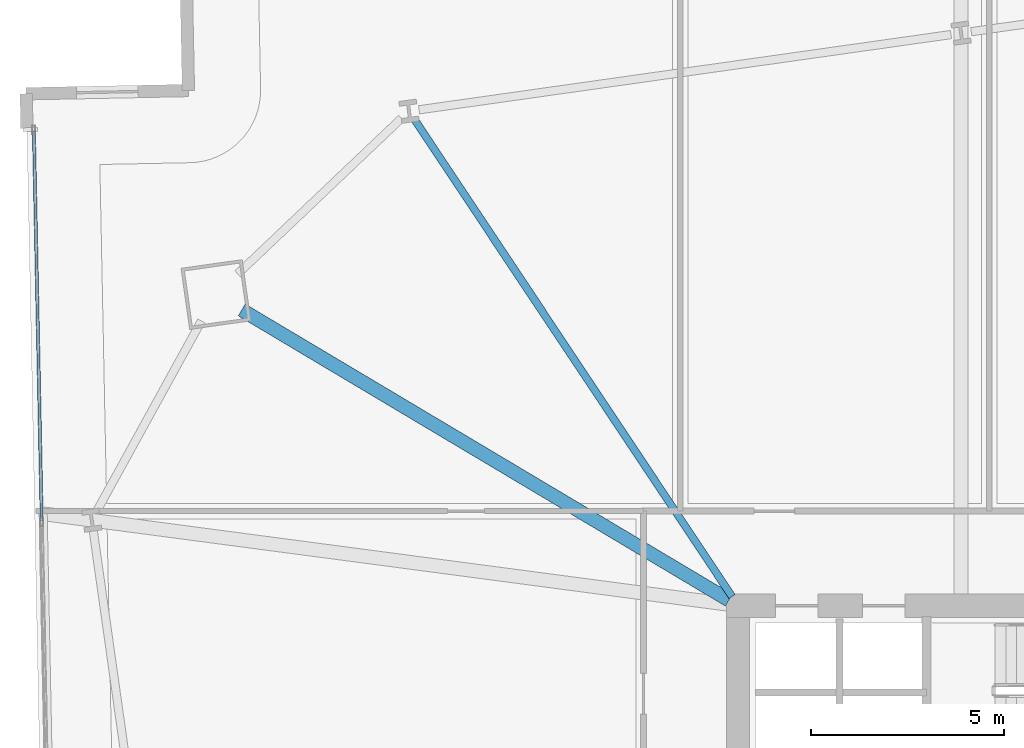
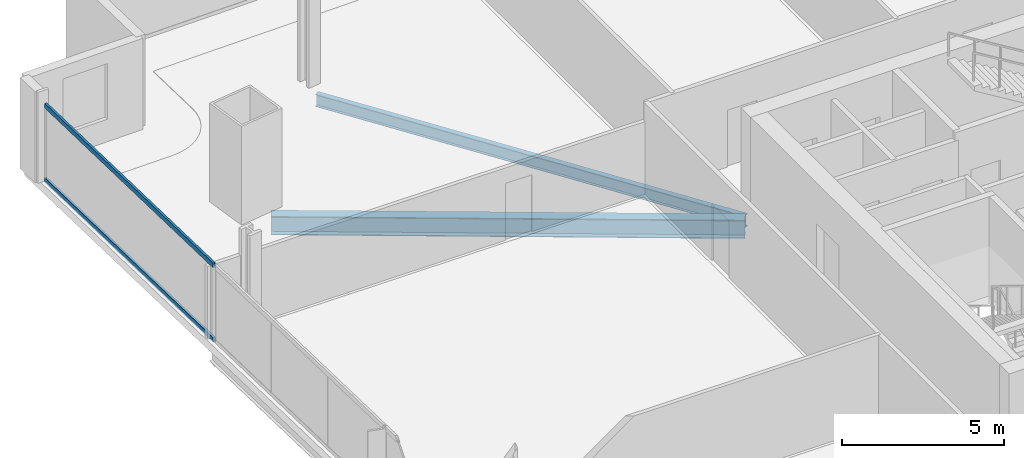
# One storey, part 17 of 35: 2 beams, 2 members, 1 element without a shape of its own.
"""IFC4 building model written with IfcOpenShell, lengths in metres."""

from ifc_helpers import new_model, si_unit, direction, frame, origin, origin_2d, place, context, subcontext, project, spatial, hollow_rectangle, i_section, extrude, material, material_profile, profile_set, type_object, element, aggregate, save


model = new_model("IFC4")

# Units and contexts
model_context = context("Model", 3, precision=1e-05, world=origin(), true_north=direction((0.0, 1.0)))
body_context = subcontext(model_context, "Body", "Model", "MODEL_VIEW")
ifc_project = project(units=[si_unit("LENGTHUNIT", "METRE"), si_unit("AREAUNIT", "SQUARE_METRE"), si_unit("VOLUMEUNIT", "CUBIC_METRE"), si_unit("PLANEANGLEUNIT", "RADIAN"), si_unit("MASSUNIT", "GRAM", prefix="KILO")], contexts=[model_context])

# Site, building, storey
site_placement = place(None, origin())
site = spatial("IfcSite", under=ifc_project, at=site_placement, CompositionType="ELEMENT")
building_placement = place(site_placement, origin())
building = spatial("IfcBuilding", under=site, at=building_placement, Name="Haldenkirk Collegiate Tower", CompositionType="ELEMENT")
storey_placement = place(building_placement, frame((0.0, 0.0, 32.699951171875)))
storey = spatial("IfcBuildingStorey", under=building, at=storey_placement, Name="L06", CompositionType="ELEMENT", Elevation=32.699951171875)

# Beams
ifc_material_1 = material(Name="Steel ASTM A992 Grade 50", Category="steel")
ifc_material_profile_1 = material_profile(ifc_material_1, i_section(OverallWidth=0.35498046875, OverallDepth=0.696044921875, WebThickness=0.015380859375, FlangeThickness=0.02490234375, at=origin_2d()), Name="W27X146")
ifc_profile_set_1 = profile_set([ifc_material_profile_1], Name="Steel ASTM A992 Grade 50")
beam_type_1 = type_object("IfcBeamType", Name="BM-GIRDER-W27X146", PredefinedType="BEAM", material=ifc_profile_set_1)
beam_1_placement = place(storey_placement, frame((14.14990234375, 41.6552734375, -0.657958984375), z_axis=(0.859106056552, -0.511797600225, 0.0), x_axis=(0.511797600225, 0.859106056552, 0.0)))
element("IfcBeam", 1, at=beam_1_placement, inside=storey, type_object=beam_type_1, Name="L06 primary floor girder 04", PredefinedType="BEAM", context=body_context, shape_type="SweptSolid", body=[
    extrude(i_section(OverallWidth=0.35498046875, OverallDepth=0.696044921875, WebThickness=0.015380859375, FlangeThickness=0.02490234375, at=origin_2d()), origin(), (0.0, 0.0, 1.0), 14.677490234375),
])
ifc_material_profile_2 = material_profile(ifc_material_1, i_section(OverallWidth=0.19189453125, OverallDepth=0.462890625, WebThickness=0.010498046875, FlangeThickness=0.017578125, at=origin_2d()), Name="W18X60")
ifc_profile_set_2 = profile_set([ifc_material_profile_2], Name="Steel ASTM A992 Grade 50")
beam_type_2 = type_object("IfcBeamType", Name="BM-JOIST-W18X60", PredefinedType="JOIST", material=ifc_profile_set_2)
beam_2_placement = place(storey_placement, frame((18.625, 46.5810546875, -0.54150390625), z_axis=(0.554130343162, -0.83242991464, 0.0), x_axis=(0.83242991464, 0.554130343162, 0.0)))
element("IfcBeam", 2, at=beam_2_placement, inside=storey, type_object=beam_type_2, Name="L06 composite floor joist 13", PredefinedType="JOIST", context=body_context, shape_type="SweptSolid", body=[
    extrude(i_section(OverallWidth=0.19189453125, OverallDepth=0.462890625, WebThickness=0.010498046875, FlangeThickness=0.017578125, at=origin_2d()), origin(), (0.0, 0.0, 1.0), 14.83349609375),
])

# Curtain wall, members
ifc_material_2 = material(Name="Anodised architectural bronze aluminium", Category="aluminium")
curtain_wall_type = type_object("IfcCurtainWallType", Name="CW-SYS1-CONVEX-LOW", PredefinedType="USERDEFINED", material=ifc_material_2)
curtain_wall_placement = place(storey_placement, origin())
curtain_wall = element("IfcCurtainWall", 3, at=curtain_wall_placement, inside=storey, type_object=curtain_wall_type, Name="L06 Lower tower convex bronze-framed unitised curtain wall", ObjectType="UNITISED CURTAIN WALL", PredefinedType="USERDEFINED")
ifc_material_profile_3 = material_profile(ifc_material_2, hollow_rectangle(XDim=0.080078125, YDim=0.179931640625, WallThickness=0.0048828125, at=origin_2d()), Name="CW-TRN-1A")
ifc_profile_set_3 = profile_set([ifc_material_profile_3], Name="Anodised architectural bronze aluminium")
member_type = type_object("IfcMemberType", Name="CW-TRN-1A", PredefinedType="USERDEFINED", material=ifc_profile_set_3)
member_1_placement = place(storey_placement, frame((8.969970703125, 36.199462890625, 0.0400390625), z_axis=(-0.020078315943, 0.999798410295, 0.0), x_axis=(-0.999798410295, -0.020078315943, 0.0)))
member_1 = element("IfcMember", 4, at=member_1_placement, type_object=member_type, Name="CW-1A transom 4.1", ObjectType="TRANSOM", PredefinedType="USERDEFINED", context=body_context, shape_type="SweptSolid", body=[
    extrude(hollow_rectangle(XDim=0.080078125, YDim=0.179931640625, WallThickness=0.0048828125, at=origin_2d()), origin(), (0.0, 0.0, 1.0), 10.080078125),
])
member_2_placement = place(storey_placement, frame((8.969970703125, 36.199462890625, 2.85107421875), z_axis=(-0.020078315943, 0.999798410295, 0.0), x_axis=(-0.999798410295, -0.020078315943, 0.0)))
member_2 = element("IfcMember", 5, at=member_2_placement, type_object=member_type, Name="CW-1A transom 4.2", ObjectType="TRANSOM", PredefinedType="USERDEFINED", context=body_context, shape_type="SweptSolid", body=[
    extrude(hollow_rectangle(XDim=0.080078125, YDim=0.179931640625, WallThickness=0.0048828125, at=origin_2d()), origin(), (0.0, 0.0, 1.0), 10.080078125),
])
aggregate(curtain_wall, [member_1, member_2])

save(model, "model.ifc")
